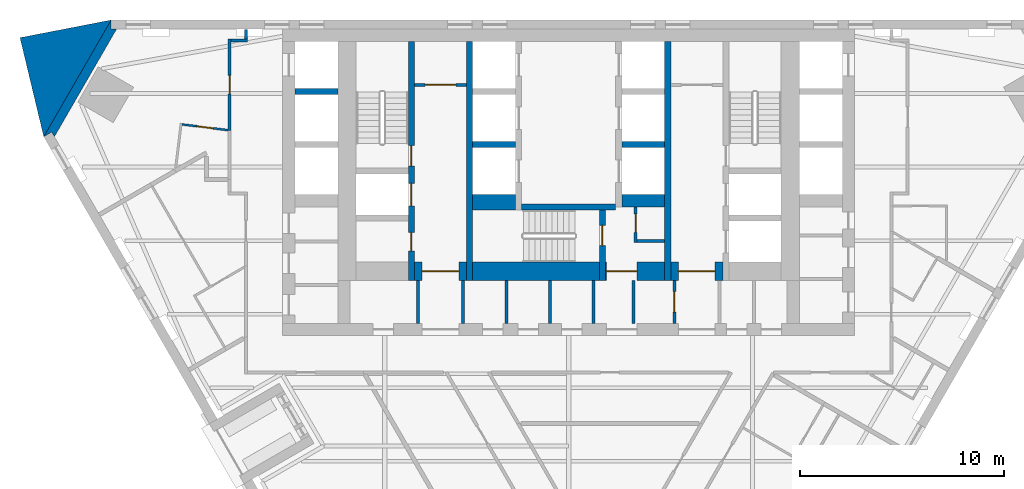
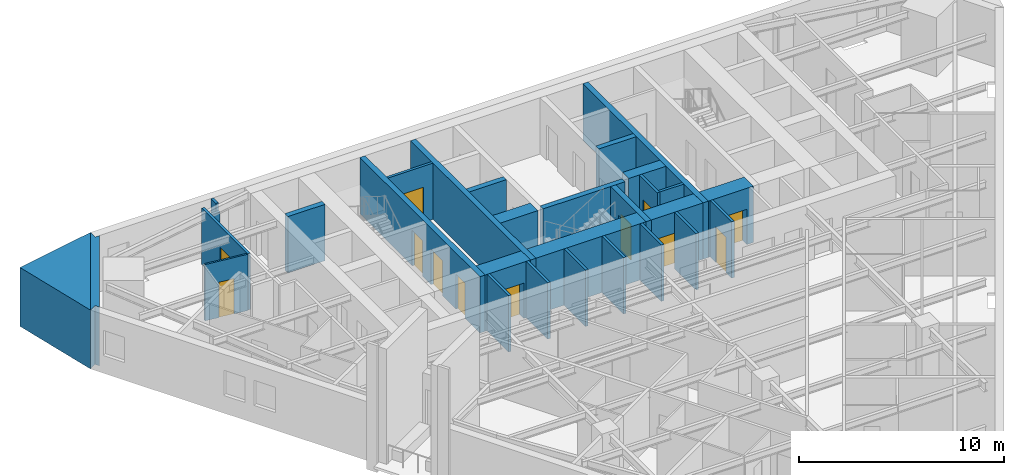
# One storey, part 6 of 9: 30 walls, 12 doors, 12 openings.
"""IFC4 building model written with IfcOpenShell, lengths in metres."""

from ifc_helpers import new_model, si_unit, direction, frame, frame_2d, origin, place, context, subcontext, project, spatial, polyline, rectangle, outline, extrude, material, layer, layer_set, type_object, element, fill, save


model = new_model("IFC4")

# Units and contexts
model_context = context("Model", 3, precision=1e-05, world=origin(), true_north=direction((0.0, 1.0)))
body_context = subcontext(model_context, "Body", "Model", "MODEL_VIEW")
ifc_project = project(units=[si_unit("LENGTHUNIT", "METRE"), si_unit("AREAUNIT", "SQUARE_METRE"), si_unit("VOLUMEUNIT", "CUBIC_METRE"), si_unit("PLANEANGLEUNIT", "RADIAN"), si_unit("MASSUNIT", "GRAM", prefix="KILO")], contexts=[model_context])

# Site, building, storey
site_placement = place(None, origin())
site = spatial("IfcSite", under=ifc_project, at=site_placement, CompositionType="ELEMENT")
building_placement = place(site_placement, origin())
building = spatial("IfcBuilding", under=site, at=building_placement, Name="Aloe Facet Convention Tower", CompositionType="ELEMENT")
storey_placement = place(building_placement, frame((0.0, 0.0, 52.5)))
storey = spatial("IfcBuildingStorey", under=building, at=storey_placement, Name="L11", CompositionType="ELEMENT", Elevation=52.5)

# Wall, opening, door
ifc_material_1 = material(Name="Concrete blockwork partition", Category="masonry")
ifc_layer_1 = layer(ifc_material_1, 0.14990234375)
ifc_layer_set_1 = layer_set([ifc_layer_1], Name="CR-W-PART150")
wall_type_1 = type_object("IfcWallType", Name="CR-W-PART150", PredefinedType="PARTITIONING", material=ifc_layer_set_1)
wall_1_placement = place(storey_placement, frame((72.449951171875, 131.824951171875, 0.0), z_axis=(0.0, 0.0, 1.0), x_axis=(1.0, 0.0, 0.0)))
wall_1 = element("IfcWall", 1, at=wall_1_placement, inside=storey, type_object=wall_type_1, Name="Core partition L11-015", PredefinedType="PARTITIONING", context=body_context, shape_type="SweptSolid", body=[
    extrude(rectangle(XDim=2.550048828125, YDim=0.14990234375, at=frame_2d((1.27490234375, 0.0))), origin(), (0.0, 0.0, 1.0), 3.35009765625),
])
opening_1_placement = place(wall_1_placement, frame((0.52490234375, 0.0, 0.0)))
opening_1 = element("IfcOpeningElement", 2, at=opening_1_placement, cuts=wall_1, Name="Opening L11-CD22", PredefinedType="OPENING", context=body_context, shape_type="SweptSolid", body=[
    extrude(rectangle(XDim=1.5, YDim=2.10009765625, at=frame_2d((0.75, 1.050048828125))), frame((0.0, 0.0849609375, 0.0), z_axis=(0.0, -1.0, 0.0), x_axis=(1.0, 0.0, 0.0)), (0.0, 0.0, 1.0), 0.169921875),
])
ifc_material_2 = material(Name="Steel fire-resisting door set FD60", Category="steel")
door_type_1 = type_object("IfcDoorType", Name="CR-D-REFUGE-1500-FD60-DD", OperationType="DOUBLE_DOOR_DOUBLE_SWING", PredefinedType="DOOR", material=ifc_material_2)
door_1_placement = place(opening_1_placement, origin())
door_1 = element("IfcDoor", 3, at=door_1_placement, inside=storey, type_object=door_type_1, Name="Core door L11-CD22", OperationType="DOUBLE_DOOR_DOUBLE_SWING", OverallHeight=2.10009765625, OverallWidth=1.5, PredefinedType="DOOR", context=body_context, shape_type="SweptSolid", body=[
    extrude(rectangle(XDim=1.5, YDim=2.10009765625, at=frame_2d((0.75, 1.050048828125))), frame((0.0, 0.02490234375, 0.0), z_axis=(0.0, -1.0, 0.0), x_axis=(1.0, 0.0, 0.0)), (0.0, 0.0, 1.0), 0.050048828125),
])
fill(opening_1, door_1)

# Walls
for number, where, z_axis, x_axis, name in (
    (4, (72.625, 122.25, 0.0), (0.0, 0.0, 1.0), (0.0, -1.0, 0.0), "Core partition L11-017"),
    (5, (74.824951171875, 122.25, 0.0), (0.0, 0.0, 1.0), (0.0, -1.0, 0.0), "Core partition L11-018"),
    (6, (76.958251953125, 122.25, 0.0), (0.0, 0.0, 1.0), (0.0, -1.0, 0.0), "Core partition L11-024"),
    (7, (79.091552734375, 122.25, 0.0), (0.0, 0.0, 1.0), (0.0, -1.0, 0.0), "Core partition L11-027"),
    (8, (81.22509765625, 122.25, 0.0), (0.0, 0.0, 1.0), (0.0, -1.0, 0.0), "Core partition L11-028"),
    (9, (83.175048828125, 122.25, 0.0), (0.0, 0.0, 1.0), (0.0, -1.0, 0.0), "Core partition L11-035"),
):
    element("IfcWall", number, at=place(storey_placement, frame(where, z_axis=z_axis, x_axis=x_axis)), inside=storey, type_object=wall_type_1, Name=name, PredefinedType="PARTITIONING", context=body_context, shape_type="SweptSolid", body=[
        extrude(rectangle(XDim=2.10009765625, YDim=0.14990234375, at=frame_2d((1.050048828125, 0.0))), origin(), (0.0, 0.0, 1.0), 3.35009765625),
    ])

# Wall, opening, door
wall_2_placement = place(storey_placement, frame((83.27490234375, 125.85009765625, 0.0), z_axis=(0.0, 0.0, 1.0), x_axis=(0.0, -1.0, 0.0)))
wall_2 = element("IfcWall", 10, at=wall_2_placement, inside=storey, type_object=wall_type_1, Name="Core partition L11-036", PredefinedType="PARTITIONING", context=body_context, shape_type="SweptSolid", body=[
    extrude(rectangle(XDim=1.75, YDim=0.14990234375, at=frame_2d((0.875, 0.0))), origin(), (0.0, 0.0, 1.0), 3.35009765625),
])
opening_2_placement = place(wall_2_placement, frame((0.35009765625, 0.0, 0.0)))
opening_2 = element("IfcOpeningElement", 11, at=opening_2_placement, cuts=wall_2, Name="Opening L11-CD20", PredefinedType="OPENING", context=body_context, shape_type="SweptSolid", body=[
    extrude(rectangle(XDim=0.89990234375, YDim=2.10009765625, at=frame_2d((0.449951171875, 1.050048828125))), frame((0.0, 0.0849609375, 0.0), z_axis=(0.0, -1.0, 0.0), x_axis=(1.0, 0.0, 0.0)), (0.0, 0.0, 1.0), 0.169921875),
])
ifc_material_3 = material(Name="Steel fire-resisting door set FD60", Category="steel")
door_type_2 = type_object("IfcDoorType", Name="CR-D-REFUGE-900-FD60-SRIGHT", OperationType="SINGLE_SWING_RIGHT", PredefinedType="DOOR", material=ifc_material_3)
door_2_placement = place(opening_2_placement, origin())
door_2 = element("IfcDoor", 12, at=door_2_placement, inside=storey, type_object=door_type_2, Name="Core door L11-CD20", OperationType="SINGLE_SWING_RIGHT", OverallHeight=2.10009765625, OverallWidth=0.89990234375, PredefinedType="DOOR", context=body_context, shape_type="SweptSolid", body=[
    extrude(rectangle(XDim=0.89990234375, YDim=2.10009765625, at=frame_2d((0.449951171875, 1.050048828125))), frame((0.0, 0.02490234375, 0.0), z_axis=(0.0, -1.0, 0.0), x_axis=(1.0, 0.0, 0.0)), (0.0, 0.0, 1.0), 0.050048828125),
])
fill(opening_2, door_2)

# Wall
wall_3_placement = place(storey_placement, frame((83.35009765625, 124.175048828125, 0.0), z_axis=(0.0, 0.0, 1.0), x_axis=(1.0, 0.0, 0.0)))
element("IfcWall", 13, at=wall_3_placement, inside=storey, type_object=wall_type_1, Name="Core partition L11-037", PredefinedType="PARTITIONING", context=body_context, shape_type="SweptSolid", body=[
    extrude(rectangle(XDim=1.349853515625, YDim=0.14990234375, at=frame_2d((0.6748046875, 0.0))), origin(), (0.0, 0.0, 1.0), 3.35009765625),
])

# Wall, opening, door
wall_4_placement = place(storey_placement, frame((85.175048828125, 122.25, 0.0), z_axis=(0.0, 0.0, 1.0), x_axis=(0.0, -1.0, 0.0)))
wall_4 = element("IfcWall", 14, at=wall_4_placement, inside=storey, type_object=wall_type_1, Name="Core partition L11-041", PredefinedType="PARTITIONING", context=body_context, shape_type="SweptSolid", body=[
    extrude(rectangle(XDim=2.10009765625, YDim=0.14990234375, at=frame_2d((1.050048828125, 0.0))), origin(), (0.0, 0.0, 1.0), 3.35009765625),
])
opening_3_placement = place(wall_4_placement, frame((0.550048828125, 0.0, 0.0)))
opening_3 = element("IfcOpeningElement", 15, at=opening_3_placement, cuts=wall_4, Name="Opening L11-CD28", PredefinedType="OPENING", context=body_context, shape_type="SweptSolid", body=[
    extrude(rectangle(XDim=1.0, YDim=2.10009765625, at=frame_2d((0.5, 1.050048828125))), frame((0.0, 0.0849609375, 0.0), z_axis=(0.0, -1.0, 0.0), x_axis=(1.0, 0.0, 0.0)), (0.0, 0.0, 1.0), 0.169921875),
])
ifc_material_4 = material(Name="Steel fire-resisting door set FD60", Category="steel")
door_type_3 = type_object("IfcDoorType", Name="CR-D-ROOM-1000-FD60-SRIGHT", OperationType="SINGLE_SWING_RIGHT", PredefinedType="DOOR", material=ifc_material_4)
door_3_placement = place(opening_3_placement, origin())
door_3 = element("IfcDoor", 16, at=door_3_placement, inside=storey, type_object=door_type_3, Name="Core door L11-CD28", OperationType="SINGLE_SWING_RIGHT", OverallHeight=2.10009765625, OverallWidth=1.0, PredefinedType="DOOR", context=body_context, shape_type="SweptSolid", body=[
    extrude(rectangle(XDim=1.0, YDim=2.10009765625, at=frame_2d((0.5, 1.050048828125))), frame((0.0, 0.02490234375, 0.0), z_axis=(0.0, -1.0, 0.0), x_axis=(1.0, 0.0, 0.0)), (0.0, 0.0, 1.0), 0.050048828125),
])
fill(opening_3, door_3)

# Wall
ifc_material_5 = material(Name="Concrete C80/95", Category="concrete")
ifc_layer_2 = layer(ifc_material_5, 0.300048828125)
ifc_layer_set_2 = layer_set([ifc_layer_2], Name="CR-W-RC300-C8095")
wall_type_2 = type_object("IfcWallType", Name="CR-W-RC300-C8095", PredefinedType="SOLIDWALL", material=ifc_layer_set_2)
wall_5_placement = place(storey_placement, frame((66.60009765625, 131.5, 0.0), z_axis=(0.0, 0.0, 1.0), x_axis=(1.0, 0.0, 0.0)))
element("IfcWall", 17, at=wall_5_placement, inside=storey, type_object=wall_type_2, Name="Core wall L11-004", PredefinedType="SOLIDWALL", context=body_context, shape_type="SweptSolid", body=[
    extrude(rectangle(XDim=2.099853515625, YDim=0.300048828125, at=frame_2d((1.0498046875, 0.0))), origin(), (0.0, 0.0, 1.0), 3.35009765625),
])

# Wall, openings, doors
wall_6_placement = place(storey_placement, frame((72.300048828125, 133.949951171875, 0.0), z_axis=(0.0, 0.0, 1.0), x_axis=(0.0, -1.0, 0.0)))
wall_6 = element("IfcWall", 18, at=wall_6_placement, inside=storey, type_object=wall_type_2, Name="Core wall L11-014", PredefinedType="SOLIDWALL", context=body_context, shape_type="SweptSolid", body=[
    extrude(rectangle(XDim=11.699951171875, YDim=0.300048828125, at=frame_2d((5.85009765625, 0.0))), origin(), (0.0, 0.0, 1.0), 3.35009765625),
])
opening_4_placement = place(wall_6_placement, frame((6.949951171875, 0.0, 0.0)))
opening_4 = element("IfcOpeningElement", 19, at=opening_4_placement, cuts=wall_6, Name="Opening LD-FF1-L11", PredefinedType="OPENING", context=body_context, shape_type="SweptSolid", body=[
    extrude(rectangle(XDim=1.10009765625, YDim=2.10009765625, at=frame_2d((0.550048828125, 1.050048828125))), frame((0.0, 0.16015625, 0.0), z_axis=(0.0, -1.0, 0.0), x_axis=(1.0, 0.0, 0.0)), (0.0, 0.0, 1.0), 0.320068359375),
])
opening_5_placement = place(wall_6_placement, frame((9.35009765625, 0.0, 0.0)))
opening_5 = element("IfcOpeningElement", 20, at=opening_5_placement, cuts=wall_6, Name="Opening L11-CD23", PredefinedType="OPENING", context=body_context, shape_type="SweptSolid", body=[
    extrude(rectangle(XDim=0.89990234375, YDim=2.10009765625, at=frame_2d((0.449951171875, 1.050048828125))), frame((0.0, 0.16015625, 0.0), z_axis=(0.0, -1.0, 0.0), x_axis=(1.0, 0.0, 0.0)), (0.0, 0.0, 1.0), 0.320068359375),
])
opening_6_placement = place(wall_6_placement, frame((5.10009765625, 0.0, 0.0)))
opening_6 = element("IfcOpeningElement", 21, at=opening_6_placement, cuts=wall_6, Name="Opening L11-CD31", PredefinedType="OPENING", context=body_context, shape_type="SweptSolid", body=[
    extrude(rectangle(XDim=1.0, YDim=2.10009765625, at=frame_2d((0.5, 1.050048828125))), frame((0.0, 0.16015625, 0.0), z_axis=(0.0, -1.0, 0.0), x_axis=(1.0, 0.0, 0.0)), (0.0, 0.0, 1.0), 0.320068359375),
])
ifc_material_6 = material(Name="Steel fire-resisting door set FD60", Category="steel")
door_type_4 = type_object("IfcDoorType", Name="CR-D-ROOM-900-FD60-SLEFT", OperationType="SINGLE_SWING_LEFT", PredefinedType="DOOR", material=ifc_material_6)
door_4_placement = place(opening_5_placement, origin())
door_4 = element("IfcDoor", 22, at=door_4_placement, inside=storey, type_object=door_type_4, Name="Core door L11-CD23", OperationType="SINGLE_SWING_LEFT", OverallHeight=2.10009765625, OverallWidth=0.89990234375, PredefinedType="DOOR", context=body_context, shape_type="SweptSolid", body=[
    extrude(rectangle(XDim=0.89990234375, YDim=2.10009765625, at=frame_2d((0.449951171875, 1.050048828125))), frame((0.0, 0.02490234375, 0.0), z_axis=(0.0, -1.0, 0.0), x_axis=(1.0, 0.0, 0.0)), (0.0, 0.0, 1.0), 0.050048828125),
])
fill(opening_5, door_4)
ifc_material_7 = material(Name="Steel fire-resisting door set FD120", Category="steel")
door_type_5 = type_object("IfcDoorType", Name="CR-D-STAIR-1000-FD120-SRIGHT", OperationType="SINGLE_SWING_RIGHT", PredefinedType="DOOR", material=ifc_material_7)
door_5_placement = place(opening_6_placement, origin())
door_5 = element("IfcDoor", 23, at=door_5_placement, inside=storey, type_object=door_type_5, Name="Core door L11-CD31", OperationType="SINGLE_SWING_RIGHT", OverallHeight=2.10009765625, OverallWidth=1.0, PredefinedType="DOOR", context=body_context, shape_type="SweptSolid", body=[
    extrude(rectangle(XDim=1.0, YDim=2.10009765625, at=frame_2d((0.5, 1.050048828125))), frame((0.0, 0.02490234375, 0.0), z_axis=(0.0, -1.0, 0.0), x_axis=(1.0, 0.0, 0.0)), (0.0, 0.0, 1.0), 0.050048828125),
])
fill(opening_6, door_5)
ifc_material_8 = material(Name="Stainless steel sliding landing door", Category="steel")
door_type_6 = type_object("IfcDoorType", Name="CR-LD-1100-FD120-_LEFT", OperationType="SLIDING_TO_LEFT", PredefinedType="DOOR", material=ifc_material_8)
door_6_placement = place(opening_4_placement, origin())
door_6 = element("IfcDoor", 24, at=door_6_placement, inside=storey, type_object=door_type_6, Name="Landing door FF1 L11", OperationType="SLIDING_TO_LEFT", OverallHeight=2.10009765625, OverallWidth=1.10009765625, PredefinedType="DOOR", context=body_context, shape_type="SweptSolid", body=[
    extrude(rectangle(XDim=1.10009765625, YDim=2.10009765625, at=frame_2d((0.550048828125, 1.050048828125))), frame((0.0, 0.02490234375, 0.0), z_axis=(0.0, -1.0, 0.0), x_axis=(1.0, 0.0, 0.0)), (0.0, 0.0, 1.0), 0.050048828125),
])
fill(opening_4, door_6)

# Walls
wall_7_placement = place(storey_placement, frame((75.14990234375, 133.949951171875, 0.0), z_axis=(0.0, 0.0, 1.0), x_axis=(0.0, -1.0, 0.0)))
element("IfcWall", 25, at=wall_7_placement, inside=storey, type_object=wall_type_2, Name="Core wall L11-019", PredefinedType="SOLIDWALL", context=body_context, shape_type="SweptSolid", body=[
    extrude(rectangle(XDim=11.699951171875, YDim=0.300048828125, at=frame_2d((5.85009765625, 0.0))), origin(), (0.0, 0.0, 1.0), 3.35009765625),
])
wall_8_placement = place(storey_placement, frame((75.300048828125, 128.89990234375, 0.0), z_axis=(0.0, 0.0, 1.0), x_axis=(1.0, 0.0, 0.0)))
element("IfcWall", 26, at=wall_8_placement, inside=storey, type_object=wall_type_2, Name="Core wall L11-021", PredefinedType="SOLIDWALL", context=body_context, shape_type="SweptSolid", body=[
    extrude(rectangle(XDim=2.099853515625, YDim=0.300048828125, at=frame_2d((1.0498046875, 0.0))), origin(), (0.0, 0.0, 1.0), 3.35009765625),
])
wall_9_placement = place(storey_placement, frame((77.699951171875, 125.85009765625, 0.0), z_axis=(0.0, 0.0, 1.0), x_axis=(1.0, 0.0, 0.0)))
element("IfcWall", 27, at=wall_9_placement, inside=storey, type_object=wall_type_2, Name="Core wall L11-026", PredefinedType="SOLIDWALL", context=body_context, shape_type="SweptSolid", body=[
    extrude(rectangle(XDim=4.60009765625, YDim=0.300048828125, at=frame_2d((2.300048828125, 0.0))), origin(), (0.0, 0.0, 1.0), 3.35009765625),
])

# Wall, opening, door
wall_10_placement = place(storey_placement, frame((81.64990234375, 125.699951171875, 0.0), z_axis=(0.0, 0.0, 1.0), x_axis=(0.0, -1.0, 0.0)))
wall_10 = element("IfcWall", 28, at=wall_10_placement, inside=storey, type_object=wall_type_2, Name="Core wall L11-029", PredefinedType="SOLIDWALL", context=body_context, shape_type="SweptSolid", body=[
    extrude(rectangle(XDim=3.449951171875, YDim=0.300048828125, at=frame_2d((1.72509765625, 0.0))), origin(), (0.0, 0.0, 1.0), 3.35009765625),
])
opening_7_placement = place(wall_10_placement, frame((0.75, 0.0, 0.0)))
opening_7 = element("IfcOpeningElement", 29, at=opening_7_placement, cuts=wall_10, Name="Opening L11-CD33", PredefinedType="OPENING", context=body_context, shape_type="SweptSolid", body=[
    extrude(rectangle(XDim=1.0, YDim=2.10009765625, at=frame_2d((0.5, 1.050048828125))), frame((0.0, 0.16015625, 0.0), z_axis=(0.0, -1.0, 0.0), x_axis=(1.0, 0.0, 0.0)), (0.0, 0.0, 1.0), 0.320068359375),
])
ifc_material_9 = material(Name="Steel fire-resisting door set FD120", Category="steel")
door_type_7 = type_object("IfcDoorType", Name="CR-D-STAIR-1000-FD120-SLEFT", OperationType="SINGLE_SWING_LEFT", PredefinedType="DOOR", material=ifc_material_9)
door_7_placement = place(opening_7_placement, origin())
door_7 = element("IfcDoor", 30, at=door_7_placement, inside=storey, type_object=door_type_7, Name="Core door L11-CD33", OperationType="SINGLE_SWING_LEFT", OverallHeight=2.10009765625, OverallWidth=1.0, PredefinedType="DOOR", context=body_context, shape_type="SweptSolid", body=[
    extrude(rectangle(XDim=1.0, YDim=2.10009765625, at=frame_2d((0.5, 1.050048828125))), frame((0.0, 0.02490234375, 0.0), z_axis=(0.0, -1.0, 0.0), x_axis=(1.0, 0.0, 0.0)), (0.0, 0.0, 1.0), 0.050048828125),
])
fill(opening_7, door_7)

# Walls
wall_11_placement = place(storey_placement, frame((82.60009765625, 128.89990234375, 0.0), z_axis=(0.0, 0.0, 1.0), x_axis=(1.0, 0.0, 0.0)))
element("IfcWall", 31, at=wall_11_placement, inside=storey, type_object=wall_type_2, Name="Core wall L11-033", PredefinedType="SOLIDWALL", context=body_context, shape_type="SweptSolid", body=[
    extrude(rectangle(XDim=2.099853515625, YDim=0.300048828125, at=frame_2d((1.0498046875, 0.0))), origin(), (0.0, 0.0, 1.0), 3.35009765625),
])
wall_12_placement = place(storey_placement, frame((84.85009765625, 133.949951171875, 0.0), z_axis=(0.0, 0.0, 1.0), x_axis=(0.0, -1.0, 0.0)))
element("IfcWall", 32, at=wall_12_placement, inside=storey, type_object=wall_type_2, Name="Core wall L11-038", PredefinedType="SOLIDWALL", context=body_context, shape_type="SweptSolid", body=[
    extrude(rectangle(XDim=11.699951171875, YDim=0.300048828125, at=frame_2d((5.85009765625, 0.0))), origin(), (0.0, 0.0, 1.0), 3.35009765625),
])
ifc_material_10 = material(Name="Concrete C80/95", Category="concrete")
ifc_layer_3 = layer(ifc_material_10, 0.60009765625)
ifc_layer_set_3 = layer_set([ifc_layer_3], Name="CR-W-RC600-C8095")
wall_type_3 = type_object("IfcWallType", Name="CR-W-RC600-C8095", PredefinedType="SOLIDWALL", material=ifc_layer_set_3)
wall_13_placement = place(storey_placement, frame((82.60009765625, 126.14990234375, 0.0), z_axis=(0.0, 0.0, 1.0), x_axis=(1.0, 0.0, 0.0)))
element("IfcWall", 33, at=wall_13_placement, inside=storey, type_object=wall_type_3, Name="Core wall L11-034", PredefinedType="SOLIDWALL", context=body_context, shape_type="SweptSolid", body=[
    extrude(rectangle(XDim=2.099853515625, YDim=0.60009765625, at=frame_2d((1.0498046875, 0.0))), origin(), (0.0, 0.0, 1.0), 3.35009765625),
])
ifc_material_11 = material(Name="Concrete C80/95", Category="concrete")
ifc_layer_4 = layer(ifc_material_11, 0.75)
ifc_layer_set_4 = layer_set([ifc_layer_4], Name="CR-W-RC750-C8095")
wall_type_4 = type_object("IfcWallType", Name="CR-W-RC750-C8095", PredefinedType="SOLIDWALL", material=ifc_layer_set_4)
wall_14_placement = place(storey_placement, frame((75.300048828125, 126.074951171875, 0.0), z_axis=(0.0, 0.0, 1.0), x_axis=(1.0, 0.0, 0.0)))
element("IfcWall", 34, at=wall_14_placement, inside=storey, type_object=wall_type_4, Name="Core wall L11-022", PredefinedType="SOLIDWALL", context=body_context, shape_type="SweptSolid", body=[
    extrude(rectangle(XDim=2.099853515625, YDim=0.75, at=frame_2d((1.0498046875, 0.0))), origin(), (0.0, 0.0, 1.0), 3.35009765625),
])

# Wall, opening, door
ifc_material_12 = material(Name="Concrete C80/95", Category="concrete")
ifc_layer_5 = layer(ifc_material_12, 0.89990234375)
ifc_layer_set_5 = layer_set([ifc_layer_5], Name="CR-W-RC900-C8095")
wall_type_5 = type_object("IfcWallType", Name="CR-W-RC900-C8095", PredefinedType="SOLIDWALL", material=ifc_layer_set_5)
wall_15_placement = place(storey_placement, frame((72.449951171875, 122.699951171875, 0.0), z_axis=(0.0, 0.0, 1.0), x_axis=(1.0, 0.0, 0.0)))
wall_15 = element("IfcWall", 35, at=wall_15_placement, inside=storey, type_object=wall_type_5, Name="Core wall L11-016", PredefinedType="SOLIDWALL", context=body_context, shape_type="SweptSolid", body=[
    extrude(rectangle(XDim=2.550048828125, YDim=0.89990234375, at=frame_2d((1.27490234375, 0.0))), origin(), (0.0, 0.0, 1.0), 3.35009765625),
])
opening_8_placement = place(wall_15_placement, frame((0.375, 0.0, 0.0)))
opening_8 = element("IfcOpeningElement", 36, at=opening_8_placement, cuts=wall_15, Name="Opening L11-CD15", PredefinedType="OPENING", context=body_context, shape_type="SweptSolid", body=[
    extrude(rectangle(XDim=1.800048828125, YDim=2.10009765625, at=frame_2d((0.89990234375, 1.050048828125))), frame((0.0, 0.4599609375, 0.0), z_axis=(0.0, -1.0, 0.0), x_axis=(1.0, 0.0, 0.0)), (0.0, 0.0, 1.0), 0.919921875),
])
ifc_material_13 = material(Name="Steel fire-resisting door set FD120", Category="steel")
door_type_8 = type_object("IfcDoorType", Name="CR-D-EXIT-1800-FD120-DD", OperationType="DOUBLE_DOOR_DOUBLE_SWING", PredefinedType="DOOR", material=ifc_material_13)
door_8_placement = place(opening_8_placement, origin())
door_8 = element("IfcDoor", 37, at=door_8_placement, inside=storey, type_object=door_type_8, Name="Core door L11-CD15", OperationType="DOUBLE_DOOR_DOUBLE_SWING", OverallHeight=2.10009765625, OverallWidth=1.800048828125, PredefinedType="DOOR", context=body_context, shape_type="SweptSolid", body=[
    extrude(rectangle(XDim=1.800048828125, YDim=2.10009765625, at=frame_2d((0.89990234375, 1.050048828125))), frame((0.0, 0.02490234375, 0.0), z_axis=(0.0, -1.0, 0.0), x_axis=(1.0, 0.0, 0.0)), (0.0, 0.0, 1.0), 0.050048828125),
])
fill(opening_8, door_8)

# Wall
wall_16_placement = place(storey_placement, frame((75.300048828125, 122.699951171875, 0.0), z_axis=(0.0, 0.0, 1.0), x_axis=(1.0, 0.0, 0.0)))
element("IfcWall", 38, at=wall_16_placement, inside=storey, type_object=wall_type_5, Name="Core wall L11-023", PredefinedType="SOLIDWALL", context=body_context, shape_type="SweptSolid", body=[
    extrude(rectangle(XDim=6.199951171875, YDim=0.89990234375, at=frame_2d((3.10009765625, 0.0))), origin(), (0.0, 0.0, 1.0), 3.35009765625),
])

# Wall, opening, door
wall_17_placement = place(storey_placement, frame((81.800048828125, 122.699951171875, 0.0), z_axis=(0.0, 0.0, 1.0), x_axis=(1.0, 0.0, 0.0)))
wall_17 = element("IfcWall", 39, at=wall_17_placement, inside=storey, type_object=wall_type_5, Name="Core wall L11-030", PredefinedType="SOLIDWALL", context=body_context, shape_type="SweptSolid", body=[
    extrude(rectangle(XDim=2.89990234375, YDim=0.89990234375, at=frame_2d((1.449951171875, 0.0))), origin(), (0.0, 0.0, 1.0), 3.35009765625),
])
opening_9_placement = place(wall_17_placement, frame((0.050048828125, 0.0, 0.0)))
opening_9 = element("IfcOpeningElement", 40, at=opening_9_placement, cuts=wall_17, Name="Opening L11-CD16", PredefinedType="OPENING", context=body_context, shape_type="SweptSolid", body=[
    extrude(rectangle(XDim=1.5, YDim=2.10009765625, at=frame_2d((0.75, 1.050048828125))), frame((0.0, 0.4599609375, 0.0), z_axis=(0.0, -1.0, 0.0), x_axis=(1.0, 0.0, 0.0)), (0.0, 0.0, 1.0), 0.919921875),
])
ifc_material_14 = material(Name="Steel fire-resisting door set FD60", Category="steel")
door_type_9 = type_object("IfcDoorType", Name="CR-D-EXIT-1500-FD60-DD", OperationType="DOUBLE_DOOR_DOUBLE_SWING", PredefinedType="DOOR", material=ifc_material_14)
door_9_placement = place(opening_9_placement, origin())
door_9 = element("IfcDoor", 41, at=door_9_placement, inside=storey, type_object=door_type_9, Name="Core door L11-CD16", OperationType="DOUBLE_DOOR_DOUBLE_SWING", OverallHeight=2.10009765625, OverallWidth=1.5, PredefinedType="DOOR", context=body_context, shape_type="SweptSolid", body=[
    extrude(rectangle(XDim=1.5, YDim=2.10009765625, at=frame_2d((0.75, 1.050048828125))), frame((0.0, 0.02490234375, 0.0), z_axis=(0.0, -1.0, 0.0), x_axis=(1.0, 0.0, 0.0)), (0.0, 0.0, 1.0), 0.050048828125),
])
fill(opening_9, door_9)

wall_18_placement = place(storey_placement, frame((85.0, 122.699951171875, 0.0), z_axis=(0.0, 0.0, 1.0), x_axis=(1.0, 0.0, 0.0)))
wall_18 = element("IfcWall", 42, at=wall_18_placement, inside=storey, type_object=wall_type_5, Name="Core wall L11-040", PredefinedType="SOLIDWALL", context=body_context, shape_type="SweptSolid", body=[
    extrude(rectangle(XDim=2.550048828125, YDim=0.89990234375, at=frame_2d((1.27490234375, 0.0))), origin(), (0.0, 0.0, 1.0), 3.35009765625),
])
opening_10_placement = place(wall_18_placement, frame((0.375, 0.0, 0.0)))
opening_10 = element("IfcOpeningElement", 43, at=opening_10_placement, cuts=wall_18, Name="Opening L11-CD14", PredefinedType="OPENING", context=body_context, shape_type="SweptSolid", body=[
    extrude(rectangle(XDim=1.800048828125, YDim=2.10009765625, at=frame_2d((0.89990234375, 1.050048828125))), frame((0.0, 0.4599609375, 0.0), z_axis=(0.0, -1.0, 0.0), x_axis=(1.0, 0.0, 0.0)), (0.0, 0.0, 1.0), 0.919921875),
])
door_10_placement = place(opening_10_placement, origin())
door_10 = element("IfcDoor", 44, at=door_10_placement, inside=storey, type_object=door_type_8, Name="Core door L11-CD14", OperationType="DOUBLE_DOOR_DOUBLE_SWING", OverallHeight=2.10009765625, OverallWidth=1.800048828125, PredefinedType="DOOR", context=body_context, shape_type="SweptSolid", body=[
    extrude(rectangle(XDim=1.800048828125, YDim=2.10009765625, at=frame_2d((0.89990234375, 1.050048828125))), frame((0.0, 0.02490234375, 0.0), z_axis=(0.0, -1.0, 0.0), x_axis=(1.0, 0.0, 0.0)), (0.0, 0.0, 1.0), 0.050048828125),
])
fill(opening_10, door_10)

# Walls
ifc_material_15 = material(Name="Precast concrete C40/50", Category="concrete")
ifc_layer_6 = layer(ifc_material_15, 0.449951171875)
ifc_layer_set_6 = layer_set([ifc_layer_6], Name="EV-WALL-PIER")
wall_type_6 = type_object("IfcWallType", Name="EV-WALL-PIER", PredefinedType="SOLIDWALL", material=ifc_layer_set_6)
wall_19_placement = place(storey_placement, frame((0.0, 0.0, -0.14990234375)))
element("IfcWall", 45, at=wall_19_placement, inside=storey, type_object=wall_type_6, Name="EP-L11-A", PredefinedType="SOLIDWALL", context=body_context, shape_type="SweptSolid", body=[
    extrude(outline(polyline([(57.60009765625, 135.0), (57.60009765625, 134.550048828125), (57.85986328125, 134.550048828125), (54.819580078125, 129.2841796875), (54.689697265625, 129.50927734375), (54.300048828125, 129.2841796875), (57.60009765625, 135.0)])), origin(), (0.0, 0.0, 1.0), 3.5),
])
ifc_material_16 = material(Name="Precast concrete C40/50", Category="concrete")
ifc_layer_7 = layer(ifc_material_16, 3.947998046875)
ifc_layer_set_7 = layer_set([ifc_layer_7], Name="EV-WALL-SPINE")
wall_type_7 = type_object("IfcWallType", Name="EV-WALL-SPINE", PredefinedType="SOLIDWALL", material=ifc_layer_set_7)
wall_20_placement = place(storey_placement, frame((0.0, 0.0, -0.14990234375)))
element("IfcWall", 46, at=wall_20_placement, inside=storey, type_object=wall_type_7, Name="SP-NW-L11", PredefinedType="SOLIDWALL", context=body_context, shape_type="SweptSolid", body=[
    extrude(outline(polyline([(57.60009765625, 135.0), (53.137451171875, 134.134765625), (54.300048828125, 129.2841796875), (57.60009765625, 135.0)])), origin(), (0.0, 0.0, 1.0), 3.5),
])

# Wall, opening, door
ifc_material_17 = material(Name="Gypsum board partition on steel studs", Category="steel")
ifc_layer_8 = layer(ifc_material_17, 0.14990234375)
ifc_layer_set_8 = layer_set([ifc_layer_8], Name="IN-W-CORR")
wall_type_8 = type_object("IfcWallType", Name="IN-W-CORR", PredefinedType="PARTITIONING", material=ifc_layer_set_8)
wall_21_placement = place(storey_placement, frame((63.39990234375, 129.597412109375, 0.0), z_axis=(0.0, 0.0, 1.0), x_axis=(0.0, 1.0, 0.0)))
wall_21 = element("IfcWall", 47, at=wall_21_placement, inside=storey, type_object=wall_type_8, Name="Partition L11-W106", PredefinedType="PARTITIONING", context=body_context, shape_type="SweptSolid", body=[
    extrude(rectangle(XDim=4.47705078125, YDim=0.14990234375, at=frame_2d((2.238525390625, 0.0))), origin(), (0.0, 0.0, 1.0), 3.35009765625),
])
opening_11_placement = place(wall_21_placement, frame((1.78857421875, 0.0, 0.0)))
opening_11 = element("IfcOpeningElement", 48, at=opening_11_placement, cuts=wall_21, Name="Opening L11-002", PredefinedType="OPENING", context=body_context, shape_type="SweptSolid", body=[
    extrude(rectangle(XDim=0.89990234375, YDim=2.10009765625, at=frame_2d((0.449951171875, 1.050048828125))), frame((0.0, 0.0849609375, 0.0), z_axis=(0.0, -1.0, 0.0), x_axis=(1.0, 0.0, 0.0)), (0.0, 0.0, 1.0), 0.169921875),
])
ifc_material_18 = material(Name="Hardwood flush door FD30S", Category="wood")
door_type_10 = type_object("IfcDoorType", Name="IN-D-GUEST", OperationType="SINGLE_SWING_LEFT", PredefinedType="DOOR", material=ifc_material_18)
door_11_placement = place(opening_11_placement, origin())
door_11 = element("IfcDoor", 49, at=door_11_placement, inside=storey, type_object=door_type_10, Name="Door L11-002", OperationType="SINGLE_SWING_LEFT", OverallHeight=2.10009765625, OverallWidth=0.89990234375, PredefinedType="DOOR", context=body_context, shape_type="SweptSolid", body=[
    extrude(rectangle(XDim=0.89990234375, YDim=2.10009765625, at=frame_2d((0.449951171875, 1.050048828125))), frame((0.0, 0.02490234375, 0.0), z_axis=(0.0, -1.0, 0.0), x_axis=(1.0, 0.0, 0.0)), (0.0, 0.0, 1.0), 0.050048828125),
])
fill(opening_11, door_11)

# Walls
wall_22_placement = place(storey_placement, frame((63.47509765625, 133.99951171875, 0.0), z_axis=(0.0, 0.0, 1.0), x_axis=(0.999999813645, 0.000610500497, 0.0)))
element("IfcWall", 50, at=wall_22_placement, inside=storey, type_object=wall_type_8, Name="Partition L11-W109", PredefinedType="PARTITIONING", context=body_context, shape_type="SweptSolid", body=[
    extrude(rectangle(XDim=0.7998046875, YDim=0.14990234375, at=frame_2d((0.39990234375, 0.0))), origin(), (0.0, 0.0, 1.0), 2.88671875),
])
wall_23_placement = place(storey_placement, frame((64.199951171875, 134.074951171875, 0.0), z_axis=(0.0, 0.0, 1.0), x_axis=(0.0, 1.0, 0.0)))
element("IfcWall", 51, at=wall_23_placement, inside=storey, type_object=wall_type_8, Name="Partition L11-W110", PredefinedType="PARTITIONING", context=body_context, shape_type="SweptSolid", body=[
    extrude(rectangle(XDim=0.465087890625, YDim=0.14990234375, at=frame_2d((0.232421875, 0.0))), origin(), (0.0, 0.0, 1.0), 3.35009765625),
])

# Wall, opening, door
ifc_material_19 = material(Name="Gypsum board partition on steel studs", Category="steel")
ifc_layer_9 = layer(ifc_material_19, 0.10009765625)
ifc_layer_set_9 = layer_set([ifc_layer_9], Name="IN-W-PART")
wall_type_9 = type_object("IfcWallType", Name="IN-W-PART", PredefinedType="PARTITIONING", material=ifc_layer_set_9)
wall_24_placement = place(storey_placement, frame((61.0732421875, 129.885986328125, 0.0), z_axis=(0.0, 0.0, 1.0), x_axis=(0.992399852351, -0.123055000118, 0.0)))
wall_24 = element("IfcWall", 52, at=wall_24_placement, inside=storey, type_object=wall_type_9, Name="Partition L11-W108", PredefinedType="PARTITIONING", context=body_context, shape_type="SweptSolid", body=[
    extrude(rectangle(XDim=2.269775390625, YDim=0.10009765625, at=frame_2d((1.134765625, 0.0))), origin(), (0.0, 0.0, 1.0), 3.35009765625),
])
opening_12_placement = place(wall_24_placement, frame((0.734619140625, 0.0, 0.0)))
opening_12 = element("IfcOpeningElement", 53, at=opening_12_placement, cuts=wall_24, Name="Opening L11-017", PredefinedType="OPENING", context=body_context, shape_type="SweptSolid", body=[
    extrude(rectangle(XDim=0.800048828125, YDim=2.10009765625, at=frame_2d((0.39990234375, 1.050048828125))), frame((0.0, 0.06005859375, 0.0), z_axis=(0.0, -1.0, 0.0), x_axis=(1.0, 0.0, 0.0)), (0.0, 0.0, 1.0), 0.1201171875),
])
ifc_material_20 = material(Name="Timber flush door", Category="wood")
door_type_11 = type_object("IfcDoorType", Name="IN-D-BATH", OperationType="SINGLE_SWING_LEFT", PredefinedType="DOOR", material=ifc_material_20)
door_12_placement = place(opening_12_placement, origin())
door_12 = element("IfcDoor", 54, at=door_12_placement, inside=storey, type_object=door_type_11, Name="Door L11-017", OperationType="SINGLE_SWING_LEFT", OverallHeight=2.10009765625, OverallWidth=0.800048828125, PredefinedType="DOOR", context=body_context, shape_type="SweptSolid", body=[
    extrude(rectangle(XDim=0.800048828125, YDim=2.10009765625, at=frame_2d((0.39990234375, 1.050048828125))), frame((0.0, 0.02490234375, 0.0), z_axis=(0.0, -1.0, 0.0), x_axis=(1.0, 0.0, 0.0)), (0.0, 0.0, 1.0), 0.050048828125),
])
fill(opening_12, door_12)

save(model, "model.ifc")
